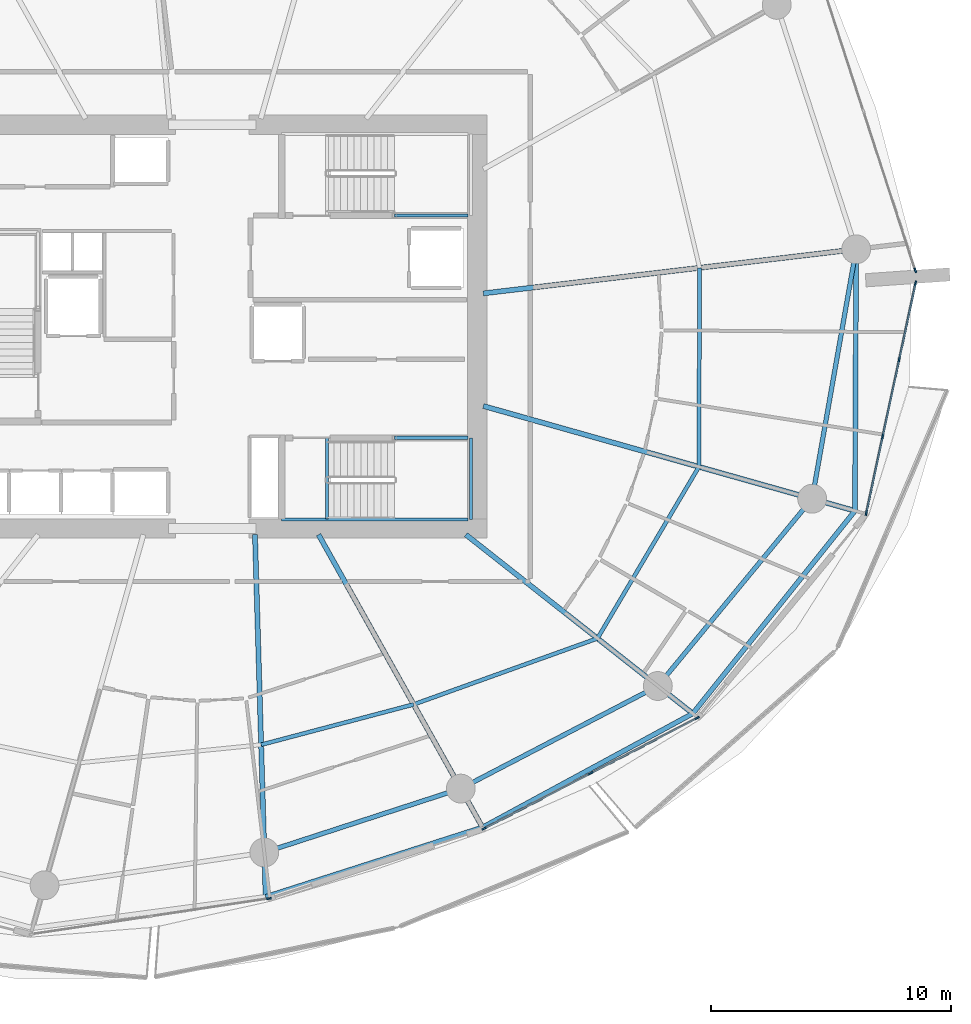
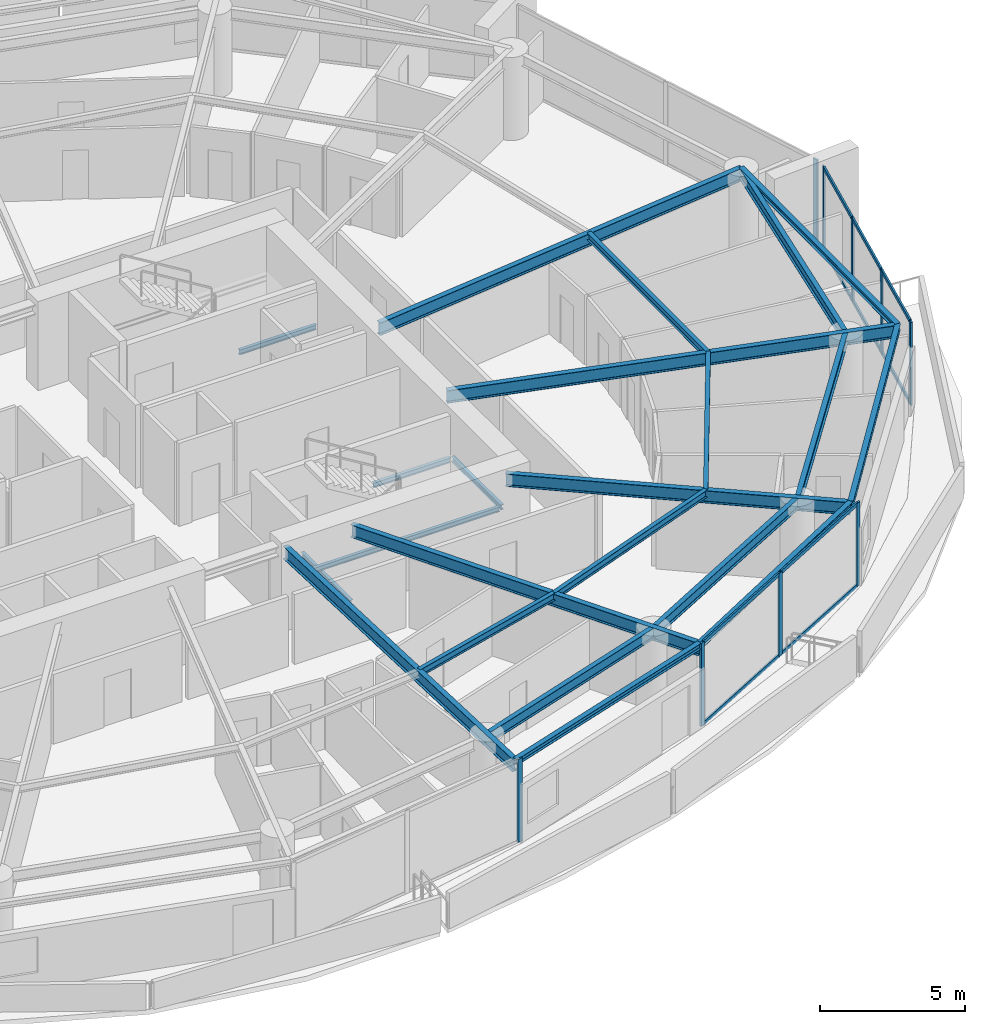
# One storey, part 7 of 23: 22 beams, 19 members, 4 elements without a shape of their own.
"""IFC4 building model written with IfcOpenShell, lengths in metres."""

from ifc_helpers import new_model, si_unit, direction, frame, origin, origin_2d, place, context, subcontext, project, spatial, rectangle, i_section, extrude, material, layer, layer_set, material_profile, profile_set, type_object, element, aggregate, save


model = new_model("IFC4")

# Units and contexts
model_context = context("Model", 3, precision=1e-05, world=origin(), true_north=direction((0.0, 1.0)))
body_context = subcontext(model_context, "Body", "Model", "MODEL_VIEW")
ifc_project = project(units=[si_unit("LENGTHUNIT", "METRE"), si_unit("AREAUNIT", "SQUARE_METRE"), si_unit("VOLUMEUNIT", "CUBIC_METRE"), si_unit("PLANEANGLEUNIT", "RADIAN"), si_unit("MASSUNIT", "GRAM", prefix="KILO")], contexts=[model_context])

# Site, building, storey
site_placement = place(None, origin())
site = spatial("IfcSite", under=ifc_project, at=site_placement, CompositionType="ELEMENT")
building_placement = place(site_placement, origin())
building = spatial("IfcBuilding", under=site, at=building_placement, Name="Kazma Halo Residences", CompositionType="ELEMENT")
storey_placement = place(building_placement, frame((0.0, 0.0, 101.39990234375)))
storey = spatial("IfcBuildingStorey", under=building, at=storey_placement, Name="L25", CompositionType="ELEMENT", Elevation=101.39990234375)

# Beams
ifc_material_1 = material(Name="Steel S355", Category="steel")
ifc_material_profile_1 = material_profile(ifc_material_1, i_section(OverallWidth=0.201904296875, OverallDepth=0.2470703125, WebThickness=0.00732421875, FlangeThickness=0.010986328125, FilletRadius=0.011962890625, at=origin_2d()), Name="W250x49.1")
ifc_profile_set_1 = profile_set([ifc_material_profile_1], Name="Steel S355")
beam_type_1 = type_object("IfcBeamType", Name="BM-BAL-CANT", PredefinedType="BEAM", material=ifc_profile_set_1)
beam_1_placement = place(storey_placement, frame((50.642578125, 18.28173828125, 3.376708984375), z_axis=(0.952319061301, 0.305103925709, 0.0), x_axis=(-0.305103925709, 0.952319061301, 0.0)))
element("IfcBeam", 1, at=beam_1_placement, inside=storey, type_object=beam_type_1, Name="L25 wave-balcony tie beam 12", PredefinedType="BEAM", context=body_context, shape_type="SweptSolid", body=[
    extrude(i_section(OverallWidth=0.201904296875, OverallDepth=0.2470703125, WebThickness=0.00732421875, FlangeThickness=0.010986328125, FilletRadius=0.011962890625, at=origin_2d()), origin(), (0.0, 0.0, 1.0), 9.473388671875),
])
beam_2_placement = place(storey_placement, frame((59.664306640625, 21.172119140625, 3.376708984375), z_axis=(0.87930438671, 0.476260218276, 0.0), x_axis=(-0.476260218276, 0.87930438671, 0.0)))
element("IfcBeam", 2, at=beam_2_placement, inside=storey, type_object=beam_type_1, Name="L25 wave-balcony tie beam 13", PredefinedType="BEAM", context=body_context, shape_type="SweptSolid", body=[
    extrude(i_section(OverallWidth=0.201904296875, OverallDepth=0.2470703125, WebThickness=0.00732421875, FlangeThickness=0.010986328125, FilletRadius=0.011962890625, at=origin_2d()), origin(), (0.0, 0.0, 1.0), 9.94677734375),
])
beam_3_placement = place(storey_placement, frame((68.41064453125, 25.909423828125, 3.376708984375), z_axis=(0.62477775999, 0.78080263231, 0.0), x_axis=(-0.78080263231, 0.62477775999, 0.0)))
element("IfcBeam", 3, at=beam_3_placement, inside=storey, type_object=beam_type_1, Name="L25 wave-balcony tie beam 14", PredefinedType="BEAM", context=body_context, shape_type="SweptSolid", body=[
    extrude(i_section(OverallWidth=0.201904296875, OverallDepth=0.2470703125, WebThickness=0.00732421875, FlangeThickness=0.010986328125, FilletRadius=0.011962890625, at=origin_2d()), origin(), (0.0, 0.0, 1.0), 10.79833984375),
])
beam_4_placement = place(storey_placement, frame((75.1572265625, 34.3408203125, 3.376708984375), z_axis=(0.004532963616, 0.999989726068, 0.0), x_axis=(-0.999989726068, 0.004532963616, 0.0)))
element("IfcBeam", 4, at=beam_4_placement, inside=storey, type_object=beam_type_1, Name="L25 wave-balcony tie beam 15", PredefinedType="BEAM", context=body_context, shape_type="SweptSolid", body=[
    extrude(i_section(OverallWidth=0.201904296875, OverallDepth=0.2470703125, WebThickness=0.00732421875, FlangeThickness=0.010986328125, FilletRadius=0.011962890625, at=origin_2d()), origin(), (0.0, 0.0, 1.0), 10.87939453125),
])
ifc_material_profile_2 = material_profile(ifc_material_1, i_section(OverallWidth=0.208984375, OverallDepth=0.532958984375, WebThickness=0.01025390625, FlangeThickness=0.015625, FilletRadius=0.01611328125, at=origin_2d()), Name="W530x92")
ifc_profile_set_2 = profile_set([ifc_material_profile_2], Name="Steel S355")
beam_type_2 = type_object("IfcBeamType", Name="BM-RAD-W530", PredefinedType="BEAM", material=ifc_profile_set_2)
beam_5_placement = place(storey_placement, frame((50.199951171875, 33.35009765625, 3.233642578125), z_axis=(0.029361929959, -0.999568845587, 0.0), x_axis=(0.999568845587, 0.029361929959, 0.0)))
element("IfcBeam", 5, at=beam_5_placement, inside=storey, type_object=beam_type_2, Name="L25 radial floor beam 12", PredefinedType="BEAM", context=body_context, shape_type="SweptSolid", body=[
    extrude(i_section(OverallWidth=0.208984375, OverallDepth=0.532958984375, WebThickness=0.01025390625, FlangeThickness=0.015625, FilletRadius=0.01611328125, at=origin_2d()), origin(), (0.0, 0.0, 1.0), 15.074951171875),
])
beam_6_placement = place(storey_placement, frame((52.84423828125, 33.35009765625, 3.233642578125), z_axis=(0.488625206529, -0.872493786536, 0.0), x_axis=(0.872493786536, 0.488625206529, 0.0)))
element("IfcBeam", 6, at=beam_6_placement, inside=storey, type_object=beam_type_2, Name="L25 radial floor beam 13", PredefinedType="BEAM", context=body_context, shape_type="SweptSolid", body=[
    extrude(i_section(OverallWidth=0.208984375, OverallDepth=0.532958984375, WebThickness=0.01025390625, FlangeThickness=0.015625, FilletRadius=0.01611328125, at=origin_2d()), origin(), (0.0, 0.0, 1.0), 13.957763671875),
])
beam_7_placement = place(storey_placement, frame((58.972412109375, 33.35009765625, 3.233642578125), z_axis=(0.785309999923, -0.619102741086, 0.0), x_axis=(0.619102741086, 0.785309999923, 0.0)))
element("IfcBeam", 7, at=beam_7_placement, inside=storey, type_object=beam_type_2, Name="L25 radial floor beam 14", PredefinedType="BEAM", context=body_context, shape_type="SweptSolid", body=[
    extrude(i_section(OverallWidth=0.208984375, OverallDepth=0.532958984375, WebThickness=0.01025390625, FlangeThickness=0.015625, FilletRadius=0.01611328125, at=origin_2d()), origin(), (0.0, 0.0, 1.0), 12.0185546875),
])
beam_8_placement = place(storey_placement, frame((59.699951171875, 38.7001953125, 3.233642578125), z_axis=(0.962455684158, -0.271438862419, 0.0), x_axis=(0.271438862419, 0.962455684158, 0.0)))
element("IfcBeam", 8, at=beam_8_placement, inside=storey, type_object=beam_type_2, Name="L25 radial floor beam 15", PredefinedType="BEAM", context=body_context, shape_type="SweptSolid", body=[
    extrude(i_section(OverallWidth=0.208984375, OverallDepth=0.532958984375, WebThickness=0.01025390625, FlangeThickness=0.015625, FilletRadius=0.01611328125, at=origin_2d()), origin(), (0.0, 0.0, 1.0), 16.060302734375),
])
beam_9_placement = place(storey_placement, frame((59.699951171875, 43.384765625, 3.233642578125), z_axis=(0.993067536486, 0.1175451742, 0.0), x_axis=(-0.1175451742, 0.993067536486, 0.0)))
element("IfcBeam", 9, at=beam_9_placement, inside=storey, type_object=beam_type_2, Name="L25 radial floor beam 16", PredefinedType="BEAM", context=body_context, shape_type="SweptSolid", body=[
    extrude(i_section(OverallWidth=0.208984375, OverallDepth=0.532958984375, WebThickness=0.01025390625, FlangeThickness=0.015625, FilletRadius=0.01611328125, at=origin_2d()), origin(), (0.0, 0.0, 1.0), 15.61474609375),
])
ifc_material_profile_3 = material_profile(ifc_material_1, i_section(OverallWidth=0.1650390625, OverallDepth=0.31005859375, WebThickness=0.005859375, FlangeThickness=0.009765625, FilletRadius=0.011962890625, at=origin_2d()), Name="W310x38.7")
ifc_profile_set_3 = profile_set([ifc_material_profile_3], Name="Steel S355")
beam_type_3 = type_object("IfcBeamType", Name="BM-SEC-W310B", PredefinedType="JOIST", material=ifc_profile_set_3)
beam_10_placement = place(storey_placement, frame((50.456787109375, 24.6103515625, 3.34521484375), z_axis=(0.966800191214, 0.255533540398, 0.0), x_axis=(-0.255533540398, 0.966800191214, 0.0)))
element("IfcBeam", 10, at=beam_10_placement, inside=storey, type_object=beam_type_3, Name="L25 circumferential floor joist 12", PredefinedType="JOIST", context=body_context, shape_type="SweptSolid", body=[
    extrude(i_section(OverallWidth=0.1650390625, OverallDepth=0.31005859375, WebThickness=0.005859375, FlangeThickness=0.009765625, FilletRadius=0.011962890625, at=origin_2d()), origin(), (0.0, 0.0, 1.0), 6.560791015625),
])
beam_11_placement = place(storey_placement, frame((56.7998046875, 26.286865234375, 3.34521484375), z_axis=(0.941097126818, 0.338136359913, 0.0), x_axis=(-0.338136359913, 0.941097126818, 0.0)))
element("IfcBeam", 11, at=beam_11_placement, inside=storey, type_object=beam_type_3, Name="L25 circumferential floor joist 13", PredefinedType="JOIST", context=body_context, shape_type="SweptSolid", body=[
    extrude(i_section(OverallWidth=0.1650390625, OverallDepth=0.31005859375, WebThickness=0.005859375, FlangeThickness=0.009765625, FilletRadius=0.011962890625, at=origin_2d()), origin(), (0.0, 0.0, 1.0), 8.12548828125),
])
beam_12_placement = place(storey_placement, frame((64.44677734375, 29.034423828125, 3.34521484375), z_axis=(0.508811652677, 0.860877867122, 0.0), x_axis=(-0.860877867122, 0.508811652677, 0.0)))
element("IfcBeam", 12, at=beam_12_placement, inside=storey, type_object=beam_type_3, Name="L25 circumferential floor joist 14", PredefinedType="JOIST", context=body_context, shape_type="SweptSolid", body=[
    extrude(i_section(OverallWidth=0.1650390625, OverallDepth=0.31005859375, WebThickness=0.005859375, FlangeThickness=0.009765625, FilletRadius=0.011962890625, at=origin_2d()), origin(), (0.0, 0.0, 1.0), 8.291015625),
])
beam_13_placement = place(storey_placement, frame((68.665283203125, 36.171875, 3.34521484375), z_axis=(0.003450899697, 0.999994045628, 0.0), x_axis=(-0.999994045628, 0.003450899697, 0.0)))
element("IfcBeam", 13, at=beam_13_placement, inside=storey, type_object=beam_type_3, Name="L25 circumferential floor joist 15", PredefinedType="JOIST", context=body_context, shape_type="SweptSolid", body=[
    extrude(i_section(OverallWidth=0.1650390625, OverallDepth=0.31005859375, WebThickness=0.005859375, FlangeThickness=0.009765625, FilletRadius=0.011962890625, at=origin_2d()), origin(), (0.0, 0.0, 1.0), 8.27734375),
])
ifc_material_profile_4 = material_profile(ifc_material_1, i_section(OverallWidth=0.18994140625, OverallDepth=0.45703125, WebThickness=0.009033203125, FlangeThickness=0.014404296875, FilletRadius=0.01611328125, at=origin_2d()), Name="W460x74")
ifc_profile_set_4 = profile_set([ifc_material_profile_4], Name="Steel S355")
beam_type_4 = type_object("IfcBeamType", Name="BM-SPN-W460", PredefinedType="BEAM", material=ifc_profile_set_4)
beam_14_placement = place(storey_placement, frame((50.58837890625, 20.130859375, 3.271484375), z_axis=(0.951054111927, 0.30902439416, 0.0), x_axis=(-0.30902439416, 0.951054111927, 0.0)))
element("IfcBeam", 14, at=beam_14_placement, inside=storey, type_object=beam_type_4, Name="L25 perimeter ring beam 12", PredefinedType="BEAM", context=body_context, shape_type="SweptSolid", body=[
    extrude(i_section(OverallWidth=0.18994140625, OverallDepth=0.45703125, WebThickness=0.009033203125, FlangeThickness=0.014404296875, FilletRadius=0.01611328125, at=origin_2d()), origin(), (0.0, 0.0, 1.0), 8.592529296875),
])
beam_15_placement = place(storey_placement, frame((58.76025390625, 22.7861328125, 3.271484375), z_axis=(0.886963229644, 0.461840047266, 0.0), x_axis=(-0.461840047266, 0.886963229644, 0.0)))
element("IfcBeam", 15, at=beam_15_placement, inside=storey, type_object=beam_type_4, Name="L25 perimeter ring beam 13", PredefinedType="BEAM", context=body_context, shape_type="SweptSolid", body=[
    extrude(i_section(OverallWidth=0.18994140625, OverallDepth=0.45703125, WebThickness=0.009033203125, FlangeThickness=0.014404296875, FilletRadius=0.01611328125, at=origin_2d()), origin(), (0.0, 0.0, 1.0), 9.242431640625),
])
beam_16_placement = place(storey_placement, frame((66.9580078125, 27.0546875, 3.271484375), z_axis=(0.635989564566, 0.771697656963, 0.0), x_axis=(-0.771697656963, 0.635989564566, 0.0)))
element("IfcBeam", 16, at=beam_16_placement, inside=storey, type_object=beam_type_4, Name="L25 perimeter ring beam 14", PredefinedType="BEAM", context=body_context, shape_type="SweptSolid", body=[
    extrude(i_section(OverallWidth=0.18994140625, OverallDepth=0.45703125, WebThickness=0.009033203125, FlangeThickness=0.014404296875, FilletRadius=0.01611328125, at=origin_2d()), origin(), (0.0, 0.0, 1.0), 10.092529296875),
])
beam_17_placement = place(storey_placement, frame((73.376708984375, 34.843017578125, 3.271484375), z_axis=(0.173653159051, 0.984806874647, 0.0), x_axis=(-0.984806874647, 0.173653159051, 0.0)))
element("IfcBeam", 17, at=beam_17_placement, inside=storey, type_object=beam_type_4, Name="L25 perimeter ring beam 15", PredefinedType="BEAM", context=body_context, shape_type="SweptSolid", body=[
    extrude(i_section(OverallWidth=0.18994140625, OverallDepth=0.45703125, WebThickness=0.009033203125, FlangeThickness=0.014404296875, FilletRadius=0.01611328125, at=origin_2d()), origin(), (0.0, 0.0, 1.0), 10.537353515625),
])
ifc_material_profile_5 = material_profile(ifc_material_1, i_section(OverallWidth=0.133056640625, OverallDepth=0.20703125, WebThickness=0.005859375, FlangeThickness=0.00830078125, FilletRadius=0.010009765625, at=origin_2d()), Name="W200x26.6")
ifc_profile_set_5 = profile_set([ifc_material_profile_5], Name="Steel S355")
beam_type_5 = type_object("IfcBeamType", Name="BM-TRIM-W200", PredefinedType="BEAM", material=ifc_profile_set_5)
beam_18_placement = place(storey_placement, frame((53.199951171875, 34.0, -0.35986328125), z_axis=(0.0, 1.0, 0.0), x_axis=(-1.0, 0.0, 0.0)))
element("IfcBeam", 18, at=beam_18_placement, inside=storey, type_object=beam_type_5, Name="L25 ST-03 floor landing support beam", PredefinedType="BEAM", context=body_context, shape_type="SweptSolid", body=[
    extrude(i_section(OverallWidth=0.133056640625, OverallDepth=0.20703125, WebThickness=0.005859375, FlangeThickness=0.00830078125, FilletRadius=0.010009765625, at=origin_2d()), origin(), (0.0, 0.0, 1.0), 3.3798828125),
])
beam_19_placement = place(storey_placement, frame((56.0, 46.6201171875, 1.570068359375), z_axis=(1.0, 0.0, 0.0), x_axis=(0.0, 1.0, 0.0)))
element("IfcBeam", 19, at=beam_19_placement, inside=storey, type_object=beam_type_5, Name="L25 ST-02 landing south wall ledger", PredefinedType="BEAM", context=body_context, shape_type="SweptSolid", body=[
    extrude(i_section(OverallWidth=0.133056640625, OverallDepth=0.20703125, WebThickness=0.005859375, FlangeThickness=0.00830078125, FilletRadius=0.010009765625, at=origin_2d()), origin(), (0.0, 0.0, 1.0), 3.070068359375),
])
beam_20_placement = place(storey_placement, frame((51.31005859375, 33.97998046875, 1.570068359375), z_axis=(1.0, 0.0, 0.0), x_axis=(0.0, 1.0, 0.0)))
element("IfcBeam", 20, at=beam_20_placement, inside=storey, type_object=beam_type_5, Name="L25 ST-03 landing south wall ledger", PredefinedType="BEAM", context=body_context, shape_type="SweptSolid", body=[
    extrude(i_section(OverallWidth=0.133056640625, OverallDepth=0.20703125, WebThickness=0.005859375, FlangeThickness=0.00830078125, FilletRadius=0.010009765625, at=origin_2d()), origin(), (0.0, 0.0, 1.0), 7.760009765625),
])
beam_21_placement = place(storey_placement, frame((56.0, 37.3798828125, 1.570068359375), z_axis=(1.0, 0.0, 0.0), x_axis=(0.0, 1.0, 0.0)))
element("IfcBeam", 21, at=beam_21_placement, inside=storey, type_object=beam_type_5, Name="L25 ST-03 landing north wall ledger", PredefinedType="BEAM", context=body_context, shape_type="SweptSolid", body=[
    extrude(i_section(OverallWidth=0.133056640625, OverallDepth=0.20703125, WebThickness=0.005859375, FlangeThickness=0.00830078125, FilletRadius=0.010009765625, at=origin_2d()), origin(), (0.0, 0.0, 1.0), 3.070068359375),
])
beam_22_placement = place(storey_placement, frame((59.18994140625, 33.97998046875, 1.570068359375), z_axis=(0.0, 1.0, 0.0), x_axis=(-1.0, 0.0, 0.0)))
element("IfcBeam", 22, at=beam_22_placement, inside=storey, type_object=beam_type_5, Name="L25 ST-03 landing end wall ledger", PredefinedType="BEAM", context=body_context, shape_type="SweptSolid", body=[
    extrude(i_section(OverallWidth=0.133056640625, OverallDepth=0.20703125, WebThickness=0.005859375, FlangeThickness=0.00830078125, FilletRadius=0.010009765625, at=origin_2d()), origin(), (0.0, 0.0, 1.0), 3.39990234375),
])

# Curtain wall, member
ifc_material_2 = material(Name="Aluminium AW-6063 T6 and Triple-Silver Low-E Glass", Category="aluminium")
ifc_layer = layer(ifc_material_2, 0.199951171875)
ifc_layer_set = layer_set([ifc_layer], Name="Aluminium AW-6063 T6 and Triple-Silver Low-E Glass")
curtain_wall_type = type_object("IfcCurtainWallType", Name="CW-SYS-3", PredefinedType="NOTDEFINED", material=ifc_layer_set)
curtain_wall_1_placement = place(storey_placement, origin())
curtain_wall_1 = element("IfcCurtainWall", 23, at=curtain_wall_1_placement, inside=storey, type_object=curtain_wall_type, Name="L25 unitised curtain wall B11", PredefinedType="NOTDEFINED")
ifc_material_3 = material(Name="Aluminium AW-6063 T6", Category="aluminium")
ifc_material_profile_6 = material_profile(ifc_material_3, rectangle(XDim=0.070068359375, YDim=0.199951171875, at=origin_2d()), Name="CWM-70x200")
ifc_profile_set_6 = profile_set([ifc_material_profile_6], Name="Aluminium AW-6063 T6")
member_type_1 = type_object("IfcMemberType", Name="CW-SYS-3-MUL", PredefinedType="MULLION", material=ifc_profile_set_6)
member_1_placement = place(storey_placement, frame((50.780029296875, 18.21337890625, 0.0), z_axis=(0.0, 0.0, 1.0), x_axis=(-0.148717330409, 0.988879747814, 0.0)))
member_1 = element("IfcMember", 24, at=member_1_placement, type_object=member_type_1, Name="CWS-3 mullion 3", PredefinedType="MULLION", context=body_context, shape_type="SweptSolid", body=[
    extrude(rectangle(XDim=0.070068359375, YDim=0.199951171875, at=origin_2d()), origin(), (0.0, 0.0, 1.0), 3.5),
])
aggregate(curtain_wall_1, [member_1])

# Curtain wall, members
curtain_wall_2_placement = place(storey_placement, origin())
curtain_wall_2 = element("IfcCurtainWall", 25, at=curtain_wall_2_placement, inside=storey, type_object=curtain_wall_type, Name="L25 unitised curtain wall B13", PredefinedType="NOTDEFINED")
member_2_placement = place(storey_placement, frame((59.732177734375, 21.1220703125, 0.0), z_axis=(0.0, 0.0, 1.0), x_axis=(-0.460932159481, 0.887435374749, 0.0)))
member_2 = element("IfcMember", 26, at=member_2_placement, type_object=member_type_1, Name="CWS-3 mullion 1", PredefinedType="MULLION", context=body_context, shape_type="SweptSolid", body=[
    extrude(rectangle(XDim=0.070068359375, YDim=0.199951171875, at=origin_2d()), origin(), (0.0, 0.0, 1.0), 3.5),
])
member_3_placement = place(storey_placement, frame((64.1630859375, 23.42333984375, 0.0), z_axis=(0.0, 0.0, 1.0), x_axis=(-0.460932159481, 0.887435374749, 0.0)))
member_3 = element("IfcMember", 27, at=member_3_placement, type_object=member_type_1, Name="CWS-3 mullion 2", PredefinedType="MULLION", context=body_context, shape_type="SweptSolid", body=[
    extrude(rectangle(XDim=0.070068359375, YDim=0.199951171875, at=origin_2d()), origin(), (0.0, 0.0, 1.0), 3.5),
])
member_4_placement = place(storey_placement, frame((68.59375, 25.724609375, 0.0), z_axis=(0.0, 0.0, 1.0), x_axis=(-0.460932159481, 0.887435374749, 0.0)))
member_4 = element("IfcMember", 28, at=member_4_placement, type_object=member_type_1, Name="CWS-3 mullion 3", PredefinedType="MULLION", context=body_context, shape_type="SweptSolid", body=[
    extrude(rectangle(XDim=0.070068359375, YDim=0.199951171875, at=origin_2d()), origin(), (0.0, 0.0, 1.0), 3.5),
])

curtain_wall_3_placement = place(storey_placement, origin())
curtain_wall_3 = element("IfcCurtainWall", 29, at=curtain_wall_3_placement, inside=storey, type_object=curtain_wall_type, Name="L25 unitised curtain wall B15", PredefinedType="NOTDEFINED")
member_5_placement = place(storey_placement, frame((75.6259765625, 34.244873046875, 0.0), z_axis=(0.0, 0.0, 1.0), x_axis=(-0.977774176093, 0.209660822677, 0.0)))
member_5 = element("IfcMember", 30, at=member_5_placement, type_object=member_type_1, Name="CWS-3 mullion 1", PredefinedType="MULLION", context=body_context, shape_type="SweptSolid", body=[
    extrude(rectangle(XDim=0.070068359375, YDim=0.199951171875, at=origin_2d()), origin(), (0.0, 0.0, 1.0), 3.5),
])
member_6_placement = place(storey_placement, frame((76.30712890625, 37.4208984375, 0.0), z_axis=(0.0, 0.0, 1.0), x_axis=(-0.977774176093, 0.209660822677, 0.0)))
member_6 = element("IfcMember", 31, at=member_6_placement, type_object=member_type_1, Name="CWS-3 mullion 2", PredefinedType="MULLION", context=body_context, shape_type="SweptSolid", body=[
    extrude(rectangle(XDim=0.070068359375, YDim=0.199951171875, at=origin_2d()), origin(), (0.0, 0.0, 1.0), 3.5),
])
member_7_placement = place(storey_placement, frame((76.995361328125, 40.63134765625, 0.0), z_axis=(0.0, 0.0, 1.0), x_axis=(-0.977774176093, 0.209660822677, 0.0)))
member_7 = element("IfcMember", 32, at=member_7_placement, type_object=member_type_1, Name="CWS-3 mullion 3", PredefinedType="MULLION", context=body_context, shape_type="SweptSolid", body=[
    extrude(rectangle(XDim=0.070068359375, YDim=0.199951171875, at=origin_2d()), origin(), (0.0, 0.0, 1.0), 3.5),
])
member_8_placement = place(storey_placement, frame((77.676513671875, 43.807373046875, 0.0), z_axis=(0.0, 0.0, 1.0), x_axis=(-0.977774176093, 0.209660822677, 0.0)))
member_8 = element("IfcMember", 33, at=member_8_placement, type_object=member_type_1, Name="CWS-3 mullion 4", PredefinedType="MULLION", context=body_context, shape_type="SweptSolid", body=[
    extrude(rectangle(XDim=0.070068359375, YDim=0.199951171875, at=origin_2d()), origin(), (0.0, 0.0, 1.0), 3.5),
])

# Curtain wall, member
curtain_wall_4_placement = place(storey_placement, origin())
curtain_wall_4 = element("IfcCurtainWall", 34, at=curtain_wall_4_placement, inside=storey, type_object=curtain_wall_type, Name="L25 unitised curtain wall B16", PredefinedType="NOTDEFINED")
member_9_placement = place(storey_placement, frame((77.665283203125, 44.3427734375, 0.0), z_axis=(0.0, 0.0, 1.0), x_axis=(-0.951057722508, -0.309013282008, 0.0)))
member_9 = element("IfcMember", 35, at=member_9_placement, type_object=member_type_1, Name="CWS-3 mullion 1", PredefinedType="MULLION", context=body_context, shape_type="SweptSolid", body=[
    extrude(rectangle(XDim=0.070068359375, YDim=0.199951171875, at=origin_2d()), origin(), (0.0, 0.0, 1.0), 3.5),
])
aggregate(curtain_wall_4, [member_9])

# Member
ifc_material_profile_7 = material_profile(ifc_material_3, rectangle(XDim=0.070068359375, YDim=0.14990234375, at=origin_2d()), Name="CWT-70x150")
ifc_profile_set_7 = profile_set([ifc_material_profile_7], Name="Aluminium AW-6063 T6")
member_type_2 = type_object("IfcMemberType", Name="CW-SYS-3-TRN", PredefinedType="USERDEFINED", material=ifc_profile_set_7)
member_10_placement = place(storey_placement, frame((59.763427734375, 21.13818359375, 0.03515625), z_axis=(0.887427024944, 0.460948235054, 0.0), x_axis=(-0.460948235054, 0.887427024944, 0.0)))
member_10 = element("IfcMember", 36, at=member_10_placement, type_object=member_type_2, Name="CWS-3 transom 1.1", ObjectType="TRANSOM", PredefinedType="USERDEFINED", context=body_context, shape_type="SweptSolid", body=[
    extrude(rectangle(XDim=0.070068359375, YDim=0.14990234375, at=origin_2d()), origin(), (0.0, 0.0, 1.0), 4.922607421875),
])

member_11_placement = place(storey_placement, frame((59.763427734375, 21.13818359375, 3.465087890625), z_axis=(0.887427024944, 0.460948235054, 0.0), x_axis=(-0.460948235054, 0.887427024944, 0.0)))
member_11 = element("IfcMember", 37, at=member_11_placement, type_object=member_type_2, Name="CWS-3 transom 1.2", ObjectType="TRANSOM", PredefinedType="USERDEFINED", context=body_context, shape_type="SweptSolid", body=[
    extrude(rectangle(XDim=0.070068359375, YDim=0.14990234375, at=origin_2d()), origin(), (0.0, 0.0, 1.0), 4.922607421875),
])

member_12_placement = place(storey_placement, frame((64.194091796875, 23.439453125, 0.03515625), z_axis=(0.887437562141, 0.460927948058, 0.0), x_axis=(-0.460927948058, 0.887437562141, 0.0)))
member_12 = element("IfcMember", 38, at=member_12_placement, type_object=member_type_2, Name="CWS-3 transom 2.1", ObjectType="TRANSOM", PredefinedType="USERDEFINED", context=body_context, shape_type="SweptSolid", body=[
    extrude(rectangle(XDim=0.070068359375, YDim=0.14990234375, at=origin_2d()), origin(), (0.0, 0.0, 1.0), 4.9228515625),
])

member_13_placement = place(storey_placement, frame((64.194091796875, 23.439453125, 3.465087890625), z_axis=(0.887437562141, 0.460927948058, 0.0), x_axis=(-0.460927948058, 0.887437562141, 0.0)))
member_13 = element("IfcMember", 39, at=member_13_placement, type_object=member_type_2, Name="CWS-3 transom 2.2", ObjectType="TRANSOM", PredefinedType="USERDEFINED", context=body_context, shape_type="SweptSolid", body=[
    extrude(rectangle(XDim=0.070068359375, YDim=0.14990234375, at=origin_2d()), origin(), (0.0, 0.0, 1.0), 4.9228515625),
])

aggregate(curtain_wall_2, [member_2, member_3, member_4, member_10, member_11, member_12, member_13])

member_14_placement = place(storey_placement, frame((75.63330078125, 34.279052734375, 0.03515625), z_axis=(0.209702197956, 0.977765303216, 0.0), x_axis=(-0.977765303216, 0.209702197956, 0.0)))
member_14 = element("IfcMember", 40, at=member_14_placement, type_object=member_type_2, Name="CWS-3 transom 1.1", ObjectType="TRANSOM", PredefinedType="USERDEFINED", context=body_context, shape_type="SweptSolid", body=[
    extrude(rectangle(XDim=0.070068359375, YDim=0.14990234375, at=origin_2d()), origin(), (0.0, 0.0, 1.0), 3.17822265625),
])

member_15_placement = place(storey_placement, frame((75.63330078125, 34.279052734375, 3.465087890625), z_axis=(0.209702197956, 0.977765303216, 0.0), x_axis=(-0.977765303216, 0.209702197956, 0.0)))
member_15 = element("IfcMember", 41, at=member_15_placement, type_object=member_type_2, Name="CWS-3 transom 1.2", ObjectType="TRANSOM", PredefinedType="USERDEFINED", context=body_context, shape_type="SweptSolid", body=[
    extrude(rectangle(XDim=0.070068359375, YDim=0.14990234375, at=origin_2d()), origin(), (0.0, 0.0, 1.0), 3.17822265625),
])

member_16_placement = place(storey_placement, frame((76.314453125, 37.455078125, 0.03515625), z_axis=(0.209627675811, 0.977781283076, 0.0), x_axis=(-0.977781283076, 0.209627675811, 0.0)))
member_16 = element("IfcMember", 42, at=member_16_placement, type_object=member_type_2, Name="CWS-3 transom 2.1", ObjectType="TRANSOM", PredefinedType="USERDEFINED", context=body_context, shape_type="SweptSolid", body=[
    extrude(rectangle(XDim=0.070068359375, YDim=0.14990234375, at=origin_2d()), origin(), (0.0, 0.0, 1.0), 3.213134765625),
])

member_17_placement = place(storey_placement, frame((76.314453125, 37.455078125, 3.465087890625), z_axis=(0.209627675811, 0.977781283076, 0.0), x_axis=(-0.977781283076, 0.209627675811, 0.0)))
member_17 = element("IfcMember", 43, at=member_17_placement, type_object=member_type_2, Name="CWS-3 transom 2.2", ObjectType="TRANSOM", PredefinedType="USERDEFINED", context=body_context, shape_type="SweptSolid", body=[
    extrude(rectangle(XDim=0.070068359375, YDim=0.14990234375, at=origin_2d()), origin(), (0.0, 0.0, 1.0), 3.213134765625),
])

member_18_placement = place(storey_placement, frame((77.002685546875, 40.66552734375, 0.03515625), z_axis=(0.209717949017, 0.977761924939, 0.0), x_axis=(-0.977761924939, 0.209717949017, 0.0)))
member_18 = element("IfcMember", 44, at=member_18_placement, type_object=member_type_2, Name="CWS-3 transom 3.1", ObjectType="TRANSOM", PredefinedType="USERDEFINED", context=body_context, shape_type="SweptSolid", body=[
    extrude(rectangle(XDim=0.070068359375, YDim=0.14990234375, at=origin_2d()), origin(), (0.0, 0.0, 1.0), 3.177978515625),
])

member_19_placement = place(storey_placement, frame((77.002685546875, 40.66552734375, 3.465087890625), z_axis=(0.209717949017, 0.977761924939, 0.0), x_axis=(-0.977761924939, 0.209717949017, 0.0)))
member_19 = element("IfcMember", 45, at=member_19_placement, type_object=member_type_2, Name="CWS-3 transom 3.2", ObjectType="TRANSOM", PredefinedType="USERDEFINED", context=body_context, shape_type="SweptSolid", body=[
    extrude(rectangle(XDim=0.070068359375, YDim=0.14990234375, at=origin_2d()), origin(), (0.0, 0.0, 1.0), 3.177978515625),
])

aggregate(curtain_wall_3, [member_5, member_6, member_7, member_8, member_14, member_15, member_16, member_17, member_18, member_19])

save(model, "model.ifc")
